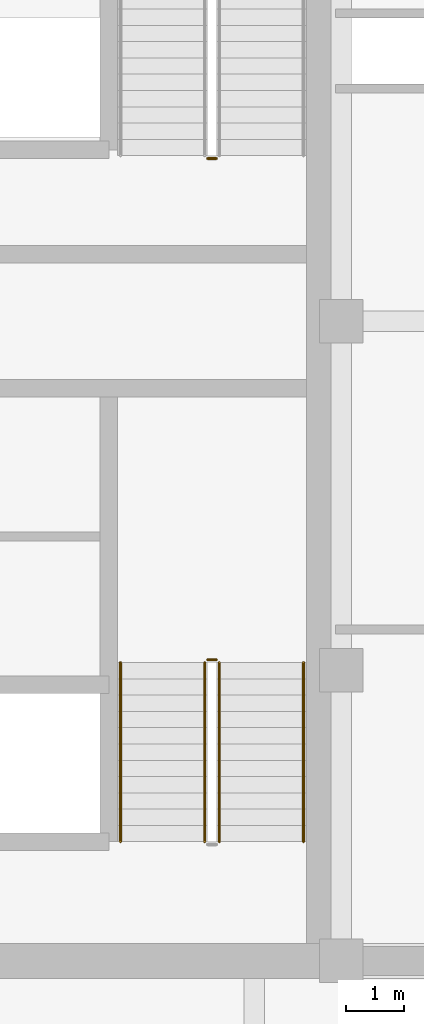
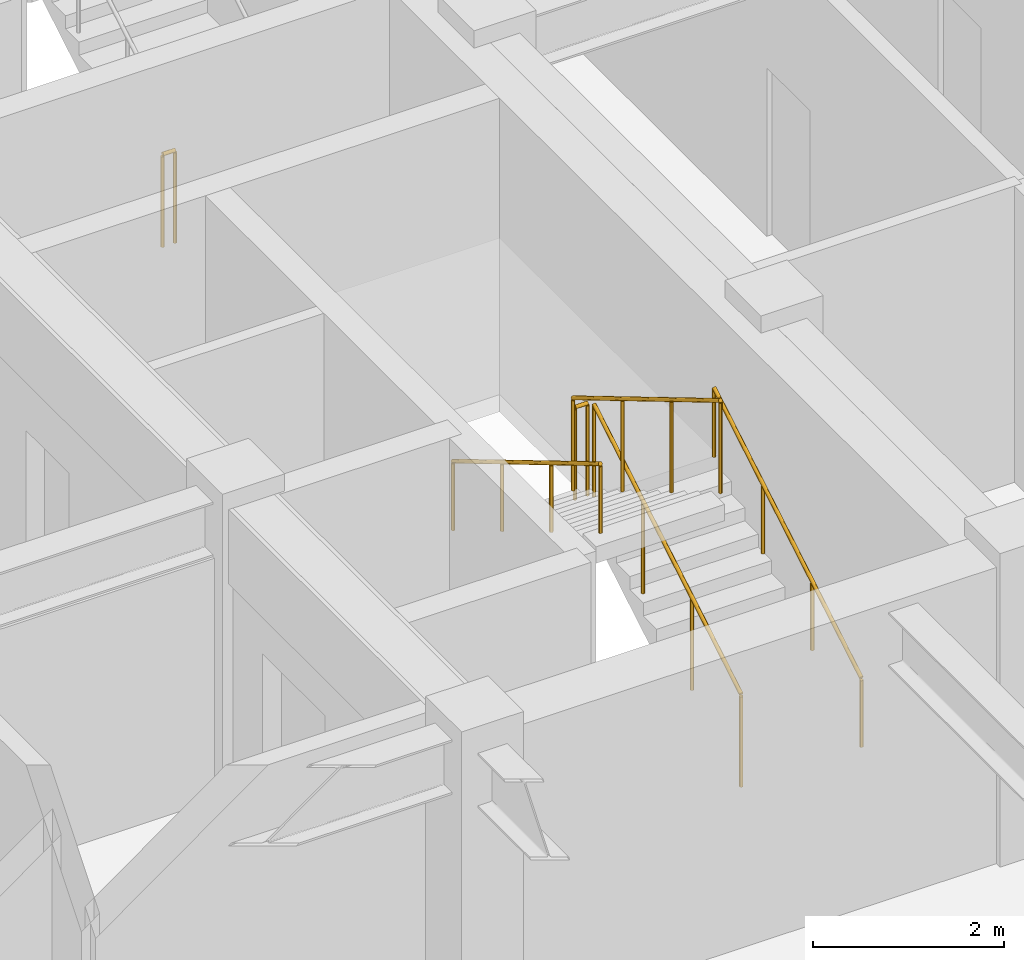
# One storey, part 24 of 27: 6 railings.
"""IFC4 building model written with IfcOpenShell, lengths in metres."""

from ifc_helpers import new_model, si_unit, direction, frame, origin, origin_2d, place, context, subcontext, project, spatial, circle, extrude, source, transform, mapped, material, type_object, element, save


model = new_model("IFC4")

# Units and contexts
model_context = context("Model", 3, precision=1e-05, world=origin(), true_north=direction((0.0, 1.0)))
body_context = subcontext(model_context, "Body", "Model", "MODEL_VIEW")
ifc_project = project(units=[si_unit("LENGTHUNIT", "METRE"), si_unit("AREAUNIT", "SQUARE_METRE"), si_unit("VOLUMEUNIT", "CUBIC_METRE"), si_unit("PLANEANGLEUNIT", "RADIAN"), si_unit("MASSUNIT", "GRAM", prefix="KILO")], contexts=[model_context])

# Site, building, storey
site_placement = place(None, origin())
site = spatial("IfcSite", under=ifc_project, at=site_placement, CompositionType="ELEMENT")
building_placement = place(site_placement, origin())
building = spatial("IfcBuilding", under=site, at=building_placement, Name="Khorayat Bourse Tower", CompositionType="ELEMENT")
storey_placement = place(building_placement, frame((0.0, 0.0, 317.5)))
storey = spatial("IfcBuildingStorey", under=building, at=storey_placement, Name="L75", CompositionType="ELEMENT", Elevation=317.5)

# Railings
ifc_material_1 = material(Name="Powder-coated steel balustrade", Category="steel")
railing_type_1 = type_object("IfcRailingType", Name="RLG-GUARD-1200", PredefinedType="GUARDRAIL", material=ifc_material_1)
shared_shape_1 = source(origin(), body_context, "Body", "SweptSolid", [
    extrude(circle(Radius=0.02392578125, at=origin_2d()), frame((0.0, 0.0, 1.17578125), z_axis=(-1.0, 0.0, 0.0), x_axis=(0.0, -1.0, 0.0)), (0.0, 0.0, 1.0), 0.150146484375),
    extrude(circle(Radius=0.02099609375, at=origin_2d()), origin(), (0.0, 0.0, 1.0), 1.15185546875),
    extrude(circle(Radius=0.02099609375, at=origin_2d()), frame((-0.150146484375, 0.0, 0.0)), (0.0, 0.0, 1.0), 1.15185546875),
])
for number, where, name in (
    (1, (-6.64990234375, -5.820068359375, 2.0), "L75 ST-1 stair guard 2"),
    (2, (-6.64990234375, 2.800048828125, 0.0), "L75 ST-2 stair guard 4"),
):
    element("IfcRailing", number, at=place(storey_placement, frame(where)), inside=storey, type_object=railing_type_1, Name=name, PredefinedType="GUARDRAIL", context=body_context, shape_type="MappedRepresentation", body=[
        mapped(shared_shape_1, transform((0.0, 0.0, 0.0), scale=1.0)),
    ])
shared_shape_2 = source(origin(), body_context, "Body", "SweptSolid", [
    extrude(circle(Radius=0.02392578125, at=origin_2d()), frame((0.0, 0.0, 1.17578125), z_axis=(0.0, 0.859290745958, 0.51148745235), x_axis=(-1.0, 0.0, 0.0)), (0.0, 0.0, 1.0), 3.584228515625),
    extrude(circle(Radius=0.02099609375, at=origin_2d()), origin(), (0.0, 0.0, 1.0), 1.15185546875),
    extrude(circle(Radius=0.02099609375, at=origin_2d()), frame((0.0, 1.026611328125, 0.611083984375)), (0.0, 0.0, 1.0), 1.15185546875),
    extrude(circle(Radius=0.02099609375, at=origin_2d()), frame((0.0, 2.05322265625, 1.22216796875)), (0.0, 0.0, 1.0), 1.15185546875),
    extrude(circle(Radius=0.02099609375, at=origin_2d()), frame((0.0, 3.079833984375, 1.833251953125)), (0.0, 0.0, 1.0), 1.15185546875),
])
railing_1_placement = place(storey_placement, frame((-6.60009765625, -8.949951171875, 0.166748046875)))
element("IfcRailing", 3, at=railing_1_placement, inside=storey, type_object=railing_type_1, Name="L75 ST-1 stair guard 1", PredefinedType="GUARDRAIL", context=body_context, shape_type="MappedRepresentation", body=[
    mapped(shared_shape_2, transform((0.0, 0.0, 0.0), scale=1.0)),
])
shared_shape_3 = source(origin(), body_context, "Body", "SweptSolid", [
    extrude(circle(Radius=0.02392578125, at=origin_2d()), frame((0.0, 0.0, 1.17578125), z_axis=(0.0, -0.859290745958, 0.51148745235), x_axis=(1.0, 0.0, 0.0)), (0.0, 0.0, 1.0), 3.584228515625),
    extrude(circle(Radius=0.02099609375, at=origin_2d()), origin(), (0.0, 0.0, 1.0), 1.15185546875),
    extrude(circle(Radius=0.02099609375, at=origin_2d()), frame((0.0, -1.026611328125, 0.611083984375)), (0.0, 0.0, 1.0), 1.15185546875),
    extrude(circle(Radius=0.02099609375, at=origin_2d()), frame((0.0, -2.05322265625, 1.22216796875)), (0.0, 0.0, 1.0), 1.15185546875),
    extrude(circle(Radius=0.02099609375, at=origin_2d()), frame((0.0, -3.079833984375, 1.833251953125)), (0.0, 0.0, 1.0), 1.15185546875),
])
railing_2_placement = place(storey_placement, frame((-6.85009765625, -5.8701171875, 2.166748046875)))
element("IfcRailing", 4, at=railing_2_placement, inside=storey, type_object=railing_type_1, Name="L75 ST-1 stair guard 3", PredefinedType="GUARDRAIL", context=body_context, shape_type="MappedRepresentation", body=[
    mapped(shared_shape_3, transform((0.0, 0.0, 0.0), scale=1.0)),
])
ifc_material_2 = material(Name="Brushed bronze stainless-steel handrail", Category="steel")
railing_type_2 = type_object("IfcRailingType", Name="RLG-HAND-900", PredefinedType="HANDRAIL", material=ifc_material_2)
shared_shape_4 = source(origin(), body_context, "Body", "SweptSolid", [
    extrude(circle(Radius=0.02392578125, at=origin_2d()), frame((0.0, 0.0, 0.8759765625), z_axis=(0.0, 0.859290745958, 0.51148745235), x_axis=(-1.0, 0.0, 0.0)), (0.0, 0.0, 1.0), 3.584228515625),
    extrude(circle(Radius=0.02099609375, at=origin_2d()), origin(), (0.0, 0.0, 1.0), 0.851806640625),
    extrude(circle(Radius=0.02099609375, at=origin_2d()), frame((0.0, 1.026611328125, 0.611083984375)), (0.0, 0.0, 1.0), 0.851806640625),
    extrude(circle(Radius=0.02099609375, at=origin_2d()), frame((0.0, 2.05322265625, 1.22216796875)), (0.0, 0.0, 1.0), 0.851806640625),
    extrude(circle(Radius=0.02099609375, at=origin_2d()), frame((0.0, 3.079833984375, 1.833251953125)), (0.0, 0.0, 1.0), 0.851806640625),
])
railing_3_placement = place(storey_placement, frame((-5.14990234375, -8.949951171875, 0.166748046875)))
element("IfcRailing", 5, at=railing_3_placement, inside=storey, type_object=railing_type_2, Name="L75 ST-1 stair handrail 1", PredefinedType="HANDRAIL", context=body_context, shape_type="MappedRepresentation", body=[
    mapped(shared_shape_4, transform((0.0, 0.0, 0.0), scale=1.0)),
])
shared_shape_5 = source(origin(), body_context, "Body", "SweptSolid", [
    extrude(circle(Radius=0.02392578125, at=origin_2d()), frame((0.0, 0.0, 0.8759765625), z_axis=(0.0, -0.859290745958, 0.51148745235), x_axis=(1.0, 0.0, 0.0)), (0.0, 0.0, 1.0), 3.584228515625),
    extrude(circle(Radius=0.02099609375, at=origin_2d()), origin(), (0.0, 0.0, 1.0), 0.851806640625),
    extrude(circle(Radius=0.02099609375, at=origin_2d()), frame((0.0, -1.026611328125, 0.611083984375)), (0.0, 0.0, 1.0), 0.851806640625),
    extrude(circle(Radius=0.02099609375, at=origin_2d()), frame((0.0, -2.05322265625, 1.22216796875)), (0.0, 0.0, 1.0), 0.851806640625),
    extrude(circle(Radius=0.02099609375, at=origin_2d()), frame((0.0, -3.079833984375, 1.833251953125)), (0.0, 0.0, 1.0), 0.851806640625),
])
railing_4_placement = place(storey_placement, frame((-8.300048828125, -5.8701171875, 2.166748046875)))
element("IfcRailing", 6, at=railing_4_placement, inside=storey, type_object=railing_type_2, Name="L75 ST-1 stair handrail 2", PredefinedType="HANDRAIL", context=body_context, shape_type="MappedRepresentation", body=[
    mapped(shared_shape_5, transform((0.0, 0.0, 0.0), scale=1.0)),
])

save(model, "model.ifc")
